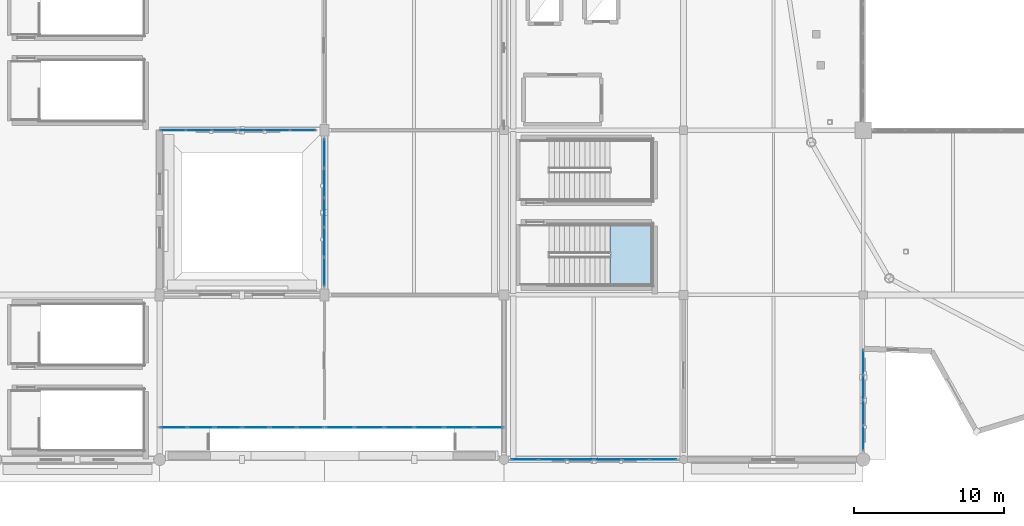
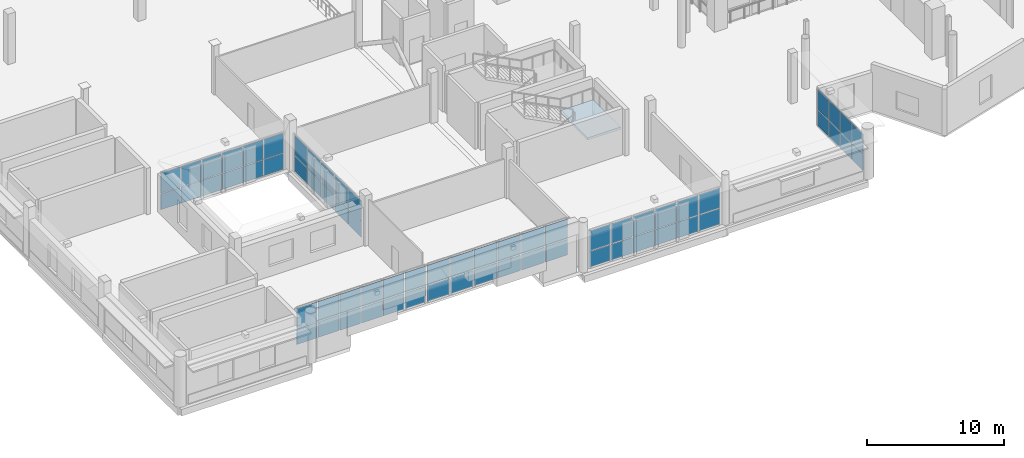
# One storey, part 65 of 118: 66 plates, 1 slab, 7 elements without a shape of their own.
"""IFC4 building model written with IfcOpenShell, lengths in metres."""

import ifcopenshell
import ifcopenshell.guid

model = None  # the IFC model being written
_history = None  # IfcOwnerHistory: only IFC2X3 demands one
_inside = {}  # id of a spatial element -> (the spatial element, [elements in it])
_under = {}  # id of a project, library or spatial element -> (it, [spatial elements below it])
_declared = {}  # id of a project -> (the project, [libraries it declares])
_typed = {}  # id of a type object -> (the type object, [elements of that type])
_made_of = {}  # id of a material, layer set ... -> (it, [elements and type objects made of it])


def new_model(schema):
    """Start an empty IFC model of exactly this schema.

    Asked for "IFC4X3", IfcOpenShell would pick the latest addendum, in which some entities
    have other attributes; the version numbers below select the first issue.
    IFC2X3 requires an IfcOwnerHistory on every rooted entity: one is made here for all.
    """
    global model, _history
    if schema == "IFC4X3":
        model = ifcopenshell.file(schema_version=(4, 3, 0, 0))
    else:
        model = ifcopenshell.file(schema=schema)
    _inside.clear()
    _under.clear()
    _declared.clear()
    _typed.clear()
    _made_of.clear()
    _history = None
    if model.schema == "IFC2X3":
        org = make("IfcOrganization", Name="unknown")
        user = make(
            "IfcPersonAndOrganization",
            ThePerson=make("IfcPerson", FamilyName="unknown"),
            TheOrganization=org,
        )
        app = make(
            "IfcApplication",
            ApplicationDeveloper=org,
            Version="unknown",
            ApplicationFullName="unknown",
            ApplicationIdentifier="unknown",
        )
        _history = make(
            "IfcOwnerHistory",
            OwningUser=user,
            OwningApplication=app,
            ChangeAction="ADDED",
            CreationDate=0,
        )
    return model


def make(cls, **values):
    """One entity of the class cls with the attributes given. An attribute that is None is left unset."""
    return model.create_entity(
        cls, **{name: value for name, value in values.items() if value is not None}
    )


def rooted(cls, **values):
    """An entity with a GlobalId (a new one), such as an element, a storey or a relation."""
    return make(cls, GlobalId=ifcopenshell.guid.new(), OwnerHistory=_history, **values)


def si_unit(unit_type, name, prefix=None):
    """IfcSIUnit, for example si_unit("LENGTHUNIT", "METRE", prefix="MILLI")."""
    return make("IfcSIUnit", UnitType=unit_type, Prefix=prefix, Name=name)


def assignment(units):
    """IfcUnitAssignment: the units of a project."""
    return None if units is None else make("IfcUnitAssignment", Units=units)


def point(xyz):
    """IfcCartesianPoint."""
    return None if xyz is None else make("IfcCartesianPoint", Coordinates=xyz)


def direction(xyz):
    """IfcDirection."""
    return None if xyz is None else make("IfcDirection", DirectionRatios=xyz)


def frame(location, z_axis=None, x_axis=None):
    """IfcAxis2Placement3D, a coordinate frame: its origin and axes. An axis left out is left unset."""
    return make(
        "IfcAxis2Placement3D",
        Location=point(location),
        Axis=direction(z_axis),
        RefDirection=direction(x_axis),
    )


def frame_2d(location, x_axis=None):
    """IfcAxis2Placement2D, a coordinate frame in the plane: its origin and x axis."""
    return make(
        "IfcAxis2Placement2D", Location=point(location), RefDirection=direction(x_axis)
    )


def origin():
    """The frame at (0, 0, 0) with its axes left unset."""
    return frame((0.0, 0.0, 0.0))


def origin_2d():
    """The frame at (0, 0) in the plane with its x axis left unset."""
    return frame_2d((0.0, 0.0))


def place(relative_to, where):
    """IfcLocalPlacement: puts the frame where relative to a parent placement (None: the world)."""
    return make(
        "IfcLocalPlacement", PlacementRelTo=relative_to, RelativePlacement=where
    )


def context(
    kind, dimensions, precision=None, world=None, true_north=None, identifier=None
):
    """IfcGeometricRepresentationContext, for example the 3D "Model" context."""
    return make(
        "IfcGeometricRepresentationContext",
        ContextIdentifier=identifier,
        ContextType=kind,
        CoordinateSpaceDimension=dimensions,
        Precision=precision,
        WorldCoordinateSystem=world,
        TrueNorth=true_north,
    )


def subcontext(parent, identifier, kind, view, scale=None):
    """IfcGeometricRepresentationSubContext, for example "Body" below "Model"."""
    return make(
        "IfcGeometricRepresentationSubContext",
        ContextIdentifier=identifier,
        ContextType=kind,
        ParentContext=parent,
        TargetScale=scale,
        TargetView=view,
    )


def project(units=None, contexts=None):
    """IfcProject with its units and contexts."""
    return rooted(
        "IfcProject",
        Name="project",
        RepresentationContexts=contexts,
        UnitsInContext=assignment(units),
    )


def spatial(cls, under=None, at=None, **own):
    """A site, building, storey or space (cls), placed at a placement, below another one or the project."""
    s = rooted(cls, ObjectPlacement=at, **own)
    if under is not None:
        _under.setdefault(under.id(), (under, []))[1].append(s)
    return s


def polyline(points):
    """IfcPolyline through the points."""
    return make("IfcPolyline", Points=[point(p) for p in points])


def profile(cls, at=None, kind="AREA", **sizes):
    """A parametric profile (cls). Its sizes go by their IFC names, for example OverallWidth=200.0."""
    return make(cls, ProfileType=kind, Position=at, **sizes)


def rectangle(**sizes):
    """IfcRectangleProfileDef."""
    return profile("IfcRectangleProfileDef", **sizes)


def outline(outer, holes=None, kind="AREA"):
    """IfcArbitraryClosedProfileDef: a profile drawn as a closed curve; with holes, ...WithVoids."""
    if holes is None:
        return make("IfcArbitraryClosedProfileDef", ProfileType=kind, OuterCurve=outer)
    return make(
        "IfcArbitraryProfileDefWithVoids",
        ProfileType=kind,
        OuterCurve=outer,
        InnerCurves=holes,
    )


def extrude(swept, where, along, depth):
    """IfcExtrudedAreaSolid: the profile swept, set in the frame where, extruded along a direction by depth."""
    return make(
        "IfcExtrudedAreaSolid",
        SweptArea=swept,
        Position=where,
        ExtrudedDirection=direction(along),
        Depth=depth,
    )


def shape(context_of_items, identifier, shape_type, items):
    """IfcShapeRepresentation: the items that make up one representation, for example the "Body"."""
    return make(
        "IfcShapeRepresentation",
        ContextOfItems=context_of_items,
        RepresentationIdentifier=identifier,
        RepresentationType=shape_type,
        Items=items,
    )


def material(Name=None, Category=None):
    """IfcMaterial."""
    return make("IfcMaterial", Name=Name, Category=Category)


def layer(
    of_material, thickness, ventilated=None, Name=None, Category=None, Priority=None
):
    """IfcMaterialLayer: one layer of a wall or slab, of a material (None: an air gap)."""
    return make(
        "IfcMaterialLayer",
        Material=of_material,
        LayerThickness=thickness,
        IsVentilated=ventilated,
        Name=Name,
        Category=Category,
        Priority=Priority,
    )


def layer_set(layers, Name=None):
    """IfcMaterialLayerSet."""
    return make("IfcMaterialLayerSet", MaterialLayers=layers, LayerSetName=Name)


def made_of(thing, what):
    """Note that an element or type object is made of a material, layer set ...; save() writes the relation."""
    if what is not None:
        _made_of.setdefault(what.id(), (what, []))[1].append(thing)
    return thing


def type_object(cls, material=None, **own):
    """A type object (cls), such as IfcWallType, which elements share."""
    return made_of(rooted(cls, **own), material)


def element(
    cls,
    number,
    at=None,
    inside=None,
    cuts=None,
    type_object=None,
    material=None,
    context=None,
    identifier="Body",
    shape_type=None,
    held_by="IfcProductDefinitionShape",
    body=None,
    shapes=None,
    **own,
):
    """One element of the class cls, such as IfcWall. Its Tag is "e" and its number.

    at: its placement. inside: the storey or other place that contains it. cuts: it is an
    opening in that element (IfcRelVoidsElement). A single representation is given by context,
    identifier, shape_type and body (its items); several are given by shapes. held_by: the class
    of the entity that holds the representations. save() writes the other relations.
    """
    e = rooted(cls, Tag="e%d" % number, ObjectPlacement=at, **own)
    if body is not None:
        shapes = [shape(context, identifier, shape_type, body)]
    if shapes is not None:
        e.Representation = make(held_by, Representations=shapes)
    if inside is not None:
        _inside.setdefault(inside.id(), (inside, []))[1].append(e)
    if cuts is not None:
        rooted(
            "IfcRelVoidsElement", RelatingBuildingElement=cuts, RelatedOpeningElement=e
        )
    if type_object is not None:
        _typed.setdefault(type_object.id(), (type_object, []))[1].append(e)
    return made_of(e, material)


def aggregate(whole, parts):
    """IfcRelAggregates: a whole, such as a stair, and the parts it consists of."""
    return rooted("IfcRelAggregates", RelatingObject=whole, RelatedObjects=parts)


def save(model, path):
    """Write the relations noted so far, then the file.

    IfcRelAggregates (storeys below a building ...), IfcRelContainedInSpatialStructure (elements
    in a storey), IfcRelDefinesByType, IfcRelAssociatesMaterial and IfcRelDeclares: one each for
    every whole, place, type object, material and project.
    """
    for whole, parts in _under.values():
        aggregate(whole, parts)
    for where, things in _inside.values():
        rooted(
            "IfcRelContainedInSpatialStructure",
            RelatedElements=things,
            RelatingStructure=where,
        )
    for kind, things in _typed.values():
        rooted("IfcRelDefinesByType", RelatedObjects=things, RelatingType=kind)
    for what, things in _made_of.values():
        rooted("IfcRelAssociatesMaterial", RelatedObjects=things, RelatingMaterial=what)
    for by, libraries in _declared.values():
        rooted("IfcRelDeclares", RelatingContext=by, RelatedDefinitions=libraries)
    model.write(path)


model = new_model("IFC4")

# Units and contexts
model_context = context("Model", 3, precision=1e-05, world=origin(), true_north=direction((0.0, 1.0)))
body_context = subcontext(model_context, "Body", "Model", "MODEL_VIEW")
ifc_project = project(units=[si_unit("LENGTHUNIT", "METRE"), si_unit("AREAUNIT", "SQUARE_METRE"), si_unit("VOLUMEUNIT", "CUBIC_METRE"), si_unit("PLANEANGLEUNIT", "RADIAN"), si_unit("MASSUNIT", "GRAM", prefix="KILO")], contexts=[model_context])

# Site, building, storey
site_placement = place(None, origin())
site = spatial("IfcSite", under=ifc_project, at=site_placement, CompositionType="ELEMENT")
building_placement = place(site_placement, origin())
building = spatial("IfcBuilding", under=site, at=building_placement, Name="Luwafu Chhajja Arena", CompositionType="ELEMENT")
storey_placement = place(building_placement, frame((0.0, 0.0, 10.199951171875)))
storey = spatial("IfcBuildingStorey", under=building, at=storey_placement, Name="L02", CompositionType="ELEMENT", Elevation=10.199951171875)

# Curtain wall, plates
ifc_material_1 = material(Name="Anodised bronze aluminium", Category="aluminium")
curtain_wall_type_1 = type_object("IfcCurtainWallType", Name="Media Ribbon Curtain Wall", PredefinedType="USERDEFINED", material=ifc_material_1)
curtain_wall_1_placement = place(storey_placement, origin())
curtain_wall_1 = element("IfcCurtainWall", 1, at=curtain_wall_1_placement, inside=storey, type_object=curtain_wall_type_1, Name="L02 Curtain Wall CWG-L02-H03_00", ObjectType="CURTAIN WALL", PredefinedType="USERDEFINED")
ifc_material_2 = material(Name="Solar-control laminated glass", Category="glass")
ifc_layer_1 = layer(ifc_material_2, 0.035888671875, Name="Solar-control laminated glass")
ifc_layer_set_1 = layer_set([ifc_layer_1], Name="Solar-control laminated glass")
plate_type_1 = type_object("IfcPlateType", Name="Acoustic Broadcast Double Glazed CW Panel 36", PredefinedType="CURTAIN_PANEL", material=ifc_layer_set_1)
plate_1_placement = place(storey_placement, frame((35.4091796875, 0.0, 0.10009765625), z_axis=(0.0, 0.0, 1.0), x_axis=(1.0, 0.0, 0.0)))
plate_1 = element("IfcPlate", 2, at=plate_1_placement, type_object=plate_type_1, Name="CW-03 panel 1.1", PredefinedType="CURTAIN_PANEL", context=body_context, shape_type="SweptSolid", body=[
    extrude(rectangle(XDim=1.748291015625, YDim=0.035888671875, at=origin_2d()), origin(), (0.0, 0.0, 1.0), 1.397216796875),
])
plate_2_placement = place(storey_placement, frame((35.4091796875, 0.0, 1.5673828125), z_axis=(0.0, 0.0, 1.0), x_axis=(1.0, 0.0, 0.0)))
plate_2 = element("IfcPlate", 3, at=plate_2_placement, type_object=plate_type_1, Name="CW-03 panel 1.2", PredefinedType="CURTAIN_PANEL", context=body_context, shape_type="SweptSolid", body=[
    extrude(rectangle(XDim=1.748291015625, YDim=0.035888671875, at=origin_2d()), origin(), (0.0, 0.0, 1.0), 1.767578125),
])
plate_3_placement = place(storey_placement, frame((37.2451171875, 0.0, 0.10009765625), z_axis=(0.0, 0.0, 1.0), x_axis=(1.0, 0.0, 0.0)))
plate_3 = element("IfcPlate", 4, at=plate_3_placement, type_object=plate_type_1, Name="CW-03 panel 2.1", PredefinedType="CURTAIN_PANEL", context=body_context, shape_type="SweptSolid", body=[
    extrude(rectangle(XDim=1.783447265625, YDim=0.035888671875, at=origin_2d()), origin(), (0.0, 0.0, 1.0), 1.397216796875),
])
plate_4_placement = place(storey_placement, frame((37.2451171875, 0.0, 1.5673828125), z_axis=(0.0, 0.0, 1.0), x_axis=(1.0, 0.0, 0.0)))
plate_4 = element("IfcPlate", 5, at=plate_4_placement, type_object=plate_type_1, Name="CW-03 panel 2.2", PredefinedType="CURTAIN_PANEL", context=body_context, shape_type="SweptSolid", body=[
    extrude(rectangle(XDim=1.783447265625, YDim=0.035888671875, at=origin_2d()), origin(), (0.0, 0.0, 1.0), 1.767578125),
])
plate_5_placement = place(storey_placement, frame((39.098388671875, 0.0, 0.10009765625), z_axis=(0.0, 0.0, 1.0), x_axis=(1.0, 0.0, 0.0)))
plate_5 = element("IfcPlate", 6, at=plate_5_placement, type_object=plate_type_1, Name="CW-03 panel 3.1", PredefinedType="CURTAIN_PANEL", context=body_context, shape_type="SweptSolid", body=[
    extrude(rectangle(XDim=1.783447265625, YDim=0.035888671875, at=origin_2d()), origin(), (0.0, 0.0, 1.0), 1.397216796875),
])
plate_6_placement = place(storey_placement, frame((39.098388671875, 0.0, 1.5673828125), z_axis=(0.0, 0.0, 1.0), x_axis=(1.0, 0.0, 0.0)))
plate_6 = element("IfcPlate", 7, at=plate_6_placement, type_object=plate_type_1, Name="CW-03 panel 3.2", PredefinedType="CURTAIN_PANEL", context=body_context, shape_type="SweptSolid", body=[
    extrude(rectangle(XDim=1.783447265625, YDim=0.035888671875, at=origin_2d()), origin(), (0.0, 0.0, 1.0), 1.767578125),
])
plate_7_placement = place(storey_placement, frame((40.95166015625, 0.0, 0.10009765625), z_axis=(0.0, 0.0, 1.0), x_axis=(1.0, 0.0, 0.0)))
plate_7 = element("IfcPlate", 8, at=plate_7_placement, type_object=plate_type_1, Name="CW-03 panel 4.1", PredefinedType="CURTAIN_PANEL", context=body_context, shape_type="SweptSolid", body=[
    extrude(rectangle(XDim=1.783447265625, YDim=0.035888671875, at=origin_2d()), origin(), (0.0, 0.0, 1.0), 1.397216796875),
])
plate_8_placement = place(storey_placement, frame((40.95166015625, 0.0, 1.5673828125), z_axis=(0.0, 0.0, 1.0), x_axis=(1.0, 0.0, 0.0)))
plate_8 = element("IfcPlate", 9, at=plate_8_placement, type_object=plate_type_1, Name="CW-03 panel 4.2", PredefinedType="CURTAIN_PANEL", context=body_context, shape_type="SweptSolid", body=[
    extrude(rectangle(XDim=1.783447265625, YDim=0.035888671875, at=origin_2d()), origin(), (0.0, 0.0, 1.0), 1.767578125),
])
plate_9_placement = place(storey_placement, frame((42.804931640625, 0.0, 0.10009765625), z_axis=(0.0, 0.0, 1.0), x_axis=(1.0, 0.0, 0.0)))
plate_9 = element("IfcPlate", 10, at=plate_9_placement, type_object=plate_type_1, Name="CW-03 panel 5.1", PredefinedType="CURTAIN_PANEL", context=body_context, shape_type="SweptSolid", body=[
    extrude(rectangle(XDim=1.783447265625, YDim=0.035888671875, at=origin_2d()), origin(), (0.0, 0.0, 1.0), 1.397216796875),
])
plate_10_placement = place(storey_placement, frame((42.804931640625, 0.0, 1.5673828125), z_axis=(0.0, 0.0, 1.0), x_axis=(1.0, 0.0, 0.0)))
plate_10 = element("IfcPlate", 11, at=plate_10_placement, type_object=plate_type_1, Name="CW-03 panel 5.2", PredefinedType="CURTAIN_PANEL", context=body_context, shape_type="SweptSolid", body=[
    extrude(rectangle(XDim=1.783447265625, YDim=0.035888671875, at=origin_2d()), origin(), (0.0, 0.0, 1.0), 1.767578125),
])
plate_11_placement = place(storey_placement, frame((44.640869140625, 0.0, 0.10009765625), z_axis=(0.0, 0.0, 1.0), x_axis=(1.0, 0.0, 0.0)))
plate_11 = element("IfcPlate", 12, at=plate_11_placement, type_object=plate_type_1, Name="CW-03 panel 6.1", PredefinedType="CURTAIN_PANEL", context=body_context, shape_type="SweptSolid", body=[
    extrude(rectangle(XDim=1.748291015625, YDim=0.035888671875, at=origin_2d()), origin(), (0.0, 0.0, 1.0), 1.397216796875),
])
plate_12_placement = place(storey_placement, frame((44.640869140625, 0.0, 1.5673828125), z_axis=(0.0, 0.0, 1.0), x_axis=(1.0, 0.0, 0.0)))
plate_12 = element("IfcPlate", 13, at=plate_12_placement, type_object=plate_type_1, Name="CW-03 panel 6.2", PredefinedType="CURTAIN_PANEL", context=body_context, shape_type="SweptSolid", body=[
    extrude(rectangle(XDim=1.748291015625, YDim=0.035888671875, at=origin_2d()), origin(), (0.0, 0.0, 1.0), 1.767578125),
])
aggregate(curtain_wall_1, [plate_1, plate_2, plate_3, plate_4, plate_5, plate_6, plate_7, plate_8, plate_9, plate_10, plate_11, plate_12])

# Stair, slab
ifc_material_3 = material(Name="Concrete C35/45", Category="concrete")
stair_type = type_object("IfcStairType", Name="Quadrant Protected Dog-Leg Stair 1920", PredefinedType="HALF_TURN_STAIR", material=ifc_material_3)
stair_placement = place(storey_placement, origin())
stair = element("IfcStair", 14, at=stair_placement, inside=storey, type_object=stair_type, Name="L02 Protected Escape Stair ST-01", PredefinedType="HALF_TURN_STAIR")
ifc_layer_2 = layer(ifc_material_3, 0.199951171875, Name="Concrete C35/45")
ifc_layer_set_2 = layer_set([ifc_layer_2], Name="Concrete C35/45")
slab_type = type_object("IfcSlabType", Name="Escape Stair Landing Slab 200", PredefinedType="LANDING", material=ifc_layer_set_2)
slab_placement = place(storey_placement, frame((0.0, 0.0, 2.050048828125)))
slab = element("IfcSlab", 15, at=slab_placement, type_object=slab_type, Name="ST-01 landing 1", PredefinedType="LANDING", context=body_context, shape_type="SweptSolid", body=[
    extrude(outline(polyline([(41.10009765625, 11.64990234375), (43.89990234375, 11.64990234375), (43.89990234375, 15.68994140625), (41.10009765625, 15.68994140625), (41.10009765625, 11.64990234375)])), origin(), (0.0, 0.0, 1.0), 0.199951171875),
])
aggregate(stair, [slab])

# Curtain wall, plates
curtain_wall_type_2 = type_object("IfcCurtainWallType", Name="Pishtaq Monumental Portal Curtain Wall", PredefinedType="USERDEFINED", material=ifc_material_1)
curtain_wall_2_placement = place(storey_placement, origin())
curtain_wall_2 = element("IfcCurtainWall", 16, at=curtain_wall_2_placement, inside=storey, type_object=curtain_wall_type_2, Name="L02 Curtain Wall CWG-L02-H01_00", ObjectType="CURTAIN WALL", PredefinedType="USERDEFINED")
ifc_layer_3 = layer(ifc_material_2, 0.0419921875, Name="Solar-control laminated glass")
ifc_layer_set_3 = layer_set([ifc_layer_3], Name="Solar-control laminated glass")
plate_type_2 = type_object("IfcPlateType", Name="Pishtaq Tall Laminated Glazed Panel 42", PredefinedType="CURTAIN_PANEL", material=ifc_layer_set_3)
plate_13_placement = place(storey_placement, frame((11.936767578125, 2.14990234375, 0.110107421875), z_axis=(0.0, 0.0, 1.0), x_axis=(1.0, 0.0, 0.0)))
plate_13 = element("IfcPlate", 17, at=plate_13_placement, type_object=plate_type_2, Name="CW-04 panel 1.1", PredefinedType="CURTAIN_PANEL", context=body_context, shape_type="SweptSolid", body=[
    extrude(rectangle(XDim=1.71337890625, YDim=0.0419921875, at=origin_2d()), origin(), (0.0, 0.0, 1.0), 1.38232421875),
])
plate_14_placement = place(storey_placement, frame((11.936767578125, 2.14990234375, 1.572265625), z_axis=(0.0, 0.0, 1.0), x_axis=(1.0, 0.0, 0.0)))
plate_14 = element("IfcPlate", 18, at=plate_14_placement, type_object=plate_type_2, Name="CW-04 panel 1.2", PredefinedType="CURTAIN_PANEL", context=body_context, shape_type="SweptSolid", body=[
    extrude(rectangle(XDim=1.71337890625, YDim=0.0419921875, at=origin_2d()), origin(), (0.0, 0.0, 1.0), 1.752685546875),
])
plate_15_placement = place(storey_placement, frame((13.75, 2.14990234375, 0.110107421875), z_axis=(0.0, 0.0, 1.0), x_axis=(1.0, 0.0, 0.0)))
plate_15 = element("IfcPlate", 19, at=plate_15_placement, type_object=plate_type_2, Name="CW-04 panel 2.1", PredefinedType="CURTAIN_PANEL", context=body_context, shape_type="SweptSolid", body=[
    extrude(rectangle(XDim=1.75341796875, YDim=0.0419921875, at=origin_2d()), origin(), (0.0, 0.0, 1.0), 1.38232421875),
])
plate_16_placement = place(storey_placement, frame((13.75, 2.14990234375, 1.572265625), z_axis=(0.0, 0.0, 1.0), x_axis=(1.0, 0.0, 0.0)))
plate_16 = element("IfcPlate", 20, at=plate_16_placement, type_object=plate_type_2, Name="CW-04 panel 2.2", PredefinedType="CURTAIN_PANEL", context=body_context, shape_type="SweptSolid", body=[
    extrude(rectangle(XDim=1.75341796875, YDim=0.0419921875, at=origin_2d()), origin(), (0.0, 0.0, 1.0), 1.752685546875),
])
plate_17_placement = place(storey_placement, frame((15.583251953125, 2.14990234375, 0.110107421875), z_axis=(0.0, 0.0, 1.0), x_axis=(1.0, 0.0, 0.0)))
plate_17 = element("IfcPlate", 21, at=plate_17_placement, type_object=plate_type_2, Name="CW-04 panel 3.1", PredefinedType="CURTAIN_PANEL", context=body_context, shape_type="SweptSolid", body=[
    extrude(rectangle(XDim=1.75341796875, YDim=0.0419921875, at=origin_2d()), origin(), (0.0, 0.0, 1.0), 1.38232421875),
])
plate_18_placement = place(storey_placement, frame((15.583251953125, 2.14990234375, 1.572265625), z_axis=(0.0, 0.0, 1.0), x_axis=(1.0, 0.0, 0.0)))
plate_18 = element("IfcPlate", 22, at=plate_18_placement, type_object=plate_type_2, Name="CW-04 panel 3.2", PredefinedType="CURTAIN_PANEL", context=body_context, shape_type="SweptSolid", body=[
    extrude(rectangle(XDim=1.75341796875, YDim=0.0419921875, at=origin_2d()), origin(), (0.0, 0.0, 1.0), 1.752685546875),
])
plate_19_placement = place(storey_placement, frame((17.416748046875, 2.14990234375, 0.110107421875), z_axis=(0.0, 0.0, 1.0), x_axis=(1.0, 0.0, 0.0)))
plate_19 = element("IfcPlate", 23, at=plate_19_placement, type_object=plate_type_2, Name="CW-04 panel 4.1", PredefinedType="CURTAIN_PANEL", context=body_context, shape_type="SweptSolid", body=[
    extrude(rectangle(XDim=1.75341796875, YDim=0.0419921875, at=origin_2d()), origin(), (0.0, 0.0, 1.0), 1.38232421875),
])
plate_20_placement = place(storey_placement, frame((17.416748046875, 2.14990234375, 1.572265625), z_axis=(0.0, 0.0, 1.0), x_axis=(1.0, 0.0, 0.0)))
plate_20 = element("IfcPlate", 24, at=plate_20_placement, type_object=plate_type_2, Name="CW-04 panel 4.2", PredefinedType="CURTAIN_PANEL", context=body_context, shape_type="SweptSolid", body=[
    extrude(rectangle(XDim=1.75341796875, YDim=0.0419921875, at=origin_2d()), origin(), (0.0, 0.0, 1.0), 1.752685546875),
])
plate_21_placement = place(storey_placement, frame((19.25, 2.14990234375, 0.110107421875), z_axis=(0.0, 0.0, 1.0), x_axis=(1.0, 0.0, 0.0)))
plate_21 = element("IfcPlate", 25, at=plate_21_placement, type_object=plate_type_2, Name="CW-04 panel 5.1", PredefinedType="CURTAIN_PANEL", context=body_context, shape_type="SweptSolid", body=[
    extrude(rectangle(XDim=1.75341796875, YDim=0.0419921875, at=origin_2d()), origin(), (0.0, 0.0, 1.0), 1.38232421875),
])
plate_22_placement = place(storey_placement, frame((19.25, 2.14990234375, 1.572265625), z_axis=(0.0, 0.0, 1.0), x_axis=(1.0, 0.0, 0.0)))
plate_22 = element("IfcPlate", 26, at=plate_22_placement, type_object=plate_type_2, Name="CW-04 panel 5.2", PredefinedType="CURTAIN_PANEL", context=body_context, shape_type="SweptSolid", body=[
    extrude(rectangle(XDim=1.75341796875, YDim=0.0419921875, at=origin_2d()), origin(), (0.0, 0.0, 1.0), 1.752685546875),
])
plate_23_placement = place(storey_placement, frame((21.063232421875, 2.14990234375, 0.110107421875), z_axis=(0.0, 0.0, 1.0), x_axis=(1.0, 0.0, 0.0)))
plate_23 = element("IfcPlate", 27, at=plate_23_placement, type_object=plate_type_2, Name="CW-04 panel 6.1", PredefinedType="CURTAIN_PANEL", context=body_context, shape_type="SweptSolid", body=[
    extrude(rectangle(XDim=1.71337890625, YDim=0.0419921875, at=origin_2d()), origin(), (0.0, 0.0, 1.0), 1.38232421875),
])
plate_24_placement = place(storey_placement, frame((21.063232421875, 2.14990234375, 1.572265625), z_axis=(0.0, 0.0, 1.0), x_axis=(1.0, 0.0, 0.0)))
plate_24 = element("IfcPlate", 28, at=plate_24_placement, type_object=plate_type_2, Name="CW-04 panel 6.2", PredefinedType="CURTAIN_PANEL", context=body_context, shape_type="SweptSolid", body=[
    extrude(rectangle(XDim=1.71337890625, YDim=0.0419921875, at=origin_2d()), origin(), (0.0, 0.0, 1.0), 1.752685546875),
])
aggregate(curtain_wall_2, [plate_13, plate_14, plate_15, plate_16, plate_17, plate_18, plate_19, plate_20, plate_21, plate_22, plate_23, plate_24])

curtain_wall_3_placement = place(storey_placement, origin())
curtain_wall_3 = element("IfcCurtainWall", 29, at=curtain_wall_3_placement, inside=storey, type_object=curtain_wall_type_2, Name="L02 Curtain Wall CWG-L02-H02_00", ObjectType="CURTAIN WALL", PredefinedType="USERDEFINED")
plate_25_placement = place(storey_placement, frame((23.02001953125, 2.14990234375, 0.110107421875), z_axis=(0.0, 0.0, 1.0), x_axis=(1.0, 0.0, 0.0)))
plate_25 = element("IfcPlate", 30, at=plate_25_placement, type_object=plate_type_2, Name="CW-04 panel 1.1", PredefinedType="CURTAIN_PANEL", context=body_context, shape_type="SweptSolid", body=[
    extrude(rectangle(XDim=1.8798828125, YDim=0.0419921875, at=origin_2d()), origin(), (0.0, 0.0, 1.0), 1.38232421875),
])
plate_26_placement = place(storey_placement, frame((23.02001953125, 2.14990234375, 1.572265625), z_axis=(0.0, 0.0, 1.0), x_axis=(1.0, 0.0, 0.0)))
plate_26 = element("IfcPlate", 31, at=plate_26_placement, type_object=plate_type_2, Name="CW-04 panel 1.2", PredefinedType="CURTAIN_PANEL", context=body_context, shape_type="SweptSolid", body=[
    extrude(rectangle(XDim=1.8798828125, YDim=0.0419921875, at=origin_2d()), origin(), (0.0, 0.0, 1.0), 1.752685546875),
])
plate_27_placement = place(storey_placement, frame((25.0, 2.14990234375, 0.110107421875), z_axis=(0.0, 0.0, 1.0), x_axis=(1.0, 0.0, 0.0)))
plate_27 = element("IfcPlate", 32, at=plate_27_placement, type_object=plate_type_2, Name="CW-04 panel 2.1", PredefinedType="CURTAIN_PANEL", context=body_context, shape_type="SweptSolid", body=[
    extrude(rectangle(XDim=1.919921875, YDim=0.0419921875, at=origin_2d()), origin(), (0.0, 0.0, 1.0), 1.38232421875),
])
plate_28_placement = place(storey_placement, frame((25.0, 2.14990234375, 1.572265625), z_axis=(0.0, 0.0, 1.0), x_axis=(1.0, 0.0, 0.0)))
plate_28 = element("IfcPlate", 33, at=plate_28_placement, type_object=plate_type_2, Name="CW-04 panel 2.2", PredefinedType="CURTAIN_PANEL", context=body_context, shape_type="SweptSolid", body=[
    extrude(rectangle(XDim=1.919921875, YDim=0.0419921875, at=origin_2d()), origin(), (0.0, 0.0, 1.0), 1.752685546875),
])
plate_29_placement = place(storey_placement, frame((27.0, 2.14990234375, 0.110107421875), z_axis=(0.0, 0.0, 1.0), x_axis=(1.0, 0.0, 0.0)))
plate_29 = element("IfcPlate", 34, at=plate_29_placement, type_object=plate_type_2, Name="CW-04 panel 3.1", PredefinedType="CURTAIN_PANEL", context=body_context, shape_type="SweptSolid", body=[
    extrude(rectangle(XDim=1.919921875, YDim=0.0419921875, at=origin_2d()), origin(), (0.0, 0.0, 1.0), 1.38232421875),
])
plate_30_placement = place(storey_placement, frame((27.0, 2.14990234375, 1.572265625), z_axis=(0.0, 0.0, 1.0), x_axis=(1.0, 0.0, 0.0)))
plate_30 = element("IfcPlate", 35, at=plate_30_placement, type_object=plate_type_2, Name="CW-04 panel 3.2", PredefinedType="CURTAIN_PANEL", context=body_context, shape_type="SweptSolid", body=[
    extrude(rectangle(XDim=1.919921875, YDim=0.0419921875, at=origin_2d()), origin(), (0.0, 0.0, 1.0), 1.752685546875),
])
plate_31_placement = place(storey_placement, frame((29.0, 2.14990234375, 0.110107421875), z_axis=(0.0, 0.0, 1.0), x_axis=(1.0, 0.0, 0.0)))
plate_31 = element("IfcPlate", 36, at=plate_31_placement, type_object=plate_type_2, Name="CW-04 panel 4.1", PredefinedType="CURTAIN_PANEL", context=body_context, shape_type="SweptSolid", body=[
    extrude(rectangle(XDim=1.919921875, YDim=0.0419921875, at=origin_2d()), origin(), (0.0, 0.0, 1.0), 1.38232421875),
])
plate_32_placement = place(storey_placement, frame((29.0, 2.14990234375, 1.572265625), z_axis=(0.0, 0.0, 1.0), x_axis=(1.0, 0.0, 0.0)))
plate_32 = element("IfcPlate", 37, at=plate_32_placement, type_object=plate_type_2, Name="CW-04 panel 4.2", PredefinedType="CURTAIN_PANEL", context=body_context, shape_type="SweptSolid", body=[
    extrude(rectangle(XDim=1.919921875, YDim=0.0419921875, at=origin_2d()), origin(), (0.0, 0.0, 1.0), 1.752685546875),
])
plate_33_placement = place(storey_placement, frame((31.0, 2.14990234375, 0.110107421875), z_axis=(0.0, 0.0, 1.0), x_axis=(1.0, 0.0, 0.0)))
plate_33 = element("IfcPlate", 38, at=plate_33_placement, type_object=plate_type_2, Name="CW-04 panel 5.1", PredefinedType="CURTAIN_PANEL", context=body_context, shape_type="SweptSolid", body=[
    extrude(rectangle(XDim=1.919921875, YDim=0.0419921875, at=origin_2d()), origin(), (0.0, 0.0, 1.0), 1.38232421875),
])
plate_34_placement = place(storey_placement, frame((31.0, 2.14990234375, 1.572265625), z_axis=(0.0, 0.0, 1.0), x_axis=(1.0, 0.0, 0.0)))
plate_34 = element("IfcPlate", 39, at=plate_34_placement, type_object=plate_type_2, Name="CW-04 panel 5.2", PredefinedType="CURTAIN_PANEL", context=body_context, shape_type="SweptSolid", body=[
    extrude(rectangle(XDim=1.919921875, YDim=0.0419921875, at=origin_2d()), origin(), (0.0, 0.0, 1.0), 1.752685546875),
])
plate_35_placement = place(storey_placement, frame((32.97998046875, 2.14990234375, 0.110107421875), z_axis=(0.0, 0.0, 1.0), x_axis=(1.0, 0.0, 0.0)))
plate_35 = element("IfcPlate", 40, at=plate_35_placement, type_object=plate_type_2, Name="CW-04 panel 6.1", PredefinedType="CURTAIN_PANEL", context=body_context, shape_type="SweptSolid", body=[
    extrude(rectangle(XDim=1.8798828125, YDim=0.0419921875, at=origin_2d()), origin(), (0.0, 0.0, 1.0), 1.38232421875),
])
plate_36_placement = place(storey_placement, frame((32.97998046875, 2.14990234375, 1.572265625), z_axis=(0.0, 0.0, 1.0), x_axis=(1.0, 0.0, 0.0)))
plate_36 = element("IfcPlate", 41, at=plate_36_placement, type_object=plate_type_2, Name="CW-04 panel 6.2", PredefinedType="CURTAIN_PANEL", context=body_context, shape_type="SweptSolid", body=[
    extrude(rectangle(XDim=1.8798828125, YDim=0.0419921875, at=origin_2d()), origin(), (0.0, 0.0, 1.0), 1.752685546875),
])
aggregate(curtain_wall_3, [plate_25, plate_26, plate_27, plate_28, plate_29, plate_30, plate_31, plate_32, plate_33, plate_34, plate_35, plate_36])

curtain_wall_type_3 = type_object("IfcCurtainWallType", Name="Bowl Concourse Chord Curtain Wall", PredefinedType="USERDEFINED", material=ifc_material_1)
curtain_wall_4_placement = place(storey_placement, origin())
curtain_wall_4 = element("IfcCurtainWall", 42, at=curtain_wall_4_placement, inside=storey, type_object=curtain_wall_type_3, Name="L02 Curtain Wall CWG-L02-H01_02", ObjectType="CURTAIN WALL", PredefinedType="USERDEFINED")
ifc_layer_4 = layer(ifc_material_2, 0.028076171875, Name="Solar-control laminated glass")
ifc_layer_set_4 = layer_set([ifc_layer_4], Name="Solar-control laminated glass")
plate_type_3 = type_object("IfcPlateType", Name="Solar Control Double Glazed CW Panel 28", PredefinedType="CURTAIN_PANEL", material=ifc_layer_set_4)
plate_37_placement = place(storey_placement, frame((11.88671875, 22.0, 0.08984375), z_axis=(0.0, 0.0, 1.0), x_axis=(1.0, 0.0, 0.0)))
plate_37 = element("IfcPlate", 43, at=plate_37_placement, type_object=plate_type_3, Name="CW-01 panel 1.1", PredefinedType="CURTAIN_PANEL", context=body_context, shape_type="SweptSolid", body=[
    extrude(rectangle(XDim=1.6533203125, YDim=0.028076171875, at=origin_2d()), origin(), (0.0, 0.0, 1.0), 1.412353515625),
])
plate_38_placement = place(storey_placement, frame((11.88671875, 22.0, 1.562255859375), z_axis=(0.0, 0.0, 1.0), x_axis=(1.0, 0.0, 0.0)))
plate_38 = element("IfcPlate", 44, at=plate_38_placement, type_object=plate_type_3, Name="CW-01 panel 1.2", PredefinedType="CURTAIN_PANEL", context=body_context, shape_type="SweptSolid", body=[
    extrude(rectangle(XDim=1.6533203125, YDim=0.028076171875, at=origin_2d()), origin(), (0.0, 0.0, 1.0), 1.78271484375),
])
plate_39_placement = place(storey_placement, frame((13.614990234375, 22.0, 0.08984375), z_axis=(0.0, 0.0, 1.0), x_axis=(1.0, 0.0, 0.0)))
plate_39 = element("IfcPlate", 45, at=plate_39_placement, type_object=plate_type_3, Name="CW-01 panel 2.1", PredefinedType="CURTAIN_PANEL", context=body_context, shape_type="SweptSolid", body=[
    extrude(rectangle(XDim=1.683349609375, YDim=0.028076171875, at=origin_2d()), origin(), (0.0, 0.0, 1.0), 1.412353515625),
])
plate_40_placement = place(storey_placement, frame((13.614990234375, 22.0, 1.562255859375), z_axis=(0.0, 0.0, 1.0), x_axis=(1.0, 0.0, 0.0)))
plate_40 = element("IfcPlate", 46, at=plate_40_placement, type_object=plate_type_3, Name="CW-01 panel 2.2", PredefinedType="CURTAIN_PANEL", context=body_context, shape_type="SweptSolid", body=[
    extrude(rectangle(XDim=1.683349609375, YDim=0.028076171875, at=origin_2d()), origin(), (0.0, 0.0, 1.0), 1.78271484375),
])
plate_41_placement = place(storey_placement, frame((15.3583984375, 22.0, 0.08984375), z_axis=(0.0, 0.0, 1.0), x_axis=(1.0, 0.0, 0.0)))
plate_41 = element("IfcPlate", 47, at=plate_41_placement, type_object=plate_type_3, Name="CW-01 panel 3.1", PredefinedType="CURTAIN_PANEL", context=body_context, shape_type="SweptSolid", body=[
    extrude(rectangle(XDim=1.683349609375, YDim=0.028076171875, at=origin_2d()), origin(), (0.0, 0.0, 1.0), 1.412353515625),
])
plate_42_placement = place(storey_placement, frame((15.3583984375, 22.0, 1.562255859375), z_axis=(0.0, 0.0, 1.0), x_axis=(1.0, 0.0, 0.0)))
plate_42 = element("IfcPlate", 48, at=plate_42_placement, type_object=plate_type_3, Name="CW-01 panel 3.2", PredefinedType="CURTAIN_PANEL", context=body_context, shape_type="SweptSolid", body=[
    extrude(rectangle(XDim=1.683349609375, YDim=0.028076171875, at=origin_2d()), origin(), (0.0, 0.0, 1.0), 1.78271484375),
])
plate_43_placement = place(storey_placement, frame((17.1015625, 22.0, 0.08984375), z_axis=(0.0, 0.0, 1.0), x_axis=(1.0, 0.0, 0.0)))
plate_43 = element("IfcPlate", 49, at=plate_43_placement, type_object=plate_type_3, Name="CW-01 panel 4.1", PredefinedType="CURTAIN_PANEL", context=body_context, shape_type="SweptSolid", body=[
    extrude(rectangle(XDim=1.683349609375, YDim=0.028076171875, at=origin_2d()), origin(), (0.0, 0.0, 1.0), 1.412353515625),
])
plate_44_placement = place(storey_placement, frame((17.1015625, 22.0, 1.562255859375), z_axis=(0.0, 0.0, 1.0), x_axis=(1.0, 0.0, 0.0)))
plate_44 = element("IfcPlate", 50, at=plate_44_placement, type_object=plate_type_3, Name="CW-01 panel 4.2", PredefinedType="CURTAIN_PANEL", context=body_context, shape_type="SweptSolid", body=[
    extrude(rectangle(XDim=1.683349609375, YDim=0.028076171875, at=origin_2d()), origin(), (0.0, 0.0, 1.0), 1.78271484375),
])
plate_45_placement = place(storey_placement, frame((18.844970703125, 22.0, 0.08984375), z_axis=(0.0, 0.0, 1.0), x_axis=(1.0, 0.0, 0.0)))
plate_45 = element("IfcPlate", 51, at=plate_45_placement, type_object=plate_type_3, Name="CW-01 panel 5.1", PredefinedType="CURTAIN_PANEL", context=body_context, shape_type="SweptSolid", body=[
    extrude(rectangle(XDim=1.683349609375, YDim=0.028076171875, at=origin_2d()), origin(), (0.0, 0.0, 1.0), 1.412353515625),
])
plate_46_placement = place(storey_placement, frame((18.844970703125, 22.0, 1.562255859375), z_axis=(0.0, 0.0, 1.0), x_axis=(1.0, 0.0, 0.0)))
plate_46 = element("IfcPlate", 52, at=plate_46_placement, type_object=plate_type_3, Name="CW-01 panel 5.2", PredefinedType="CURTAIN_PANEL", context=body_context, shape_type="SweptSolid", body=[
    extrude(rectangle(XDim=1.683349609375, YDim=0.028076171875, at=origin_2d()), origin(), (0.0, 0.0, 1.0), 1.78271484375),
])
plate_47_placement = place(storey_placement, frame((20.5732421875, 22.0, 0.08984375), z_axis=(0.0, 0.0, 1.0), x_axis=(1.0, 0.0, 0.0)))
plate_47 = element("IfcPlate", 53, at=plate_47_placement, type_object=plate_type_3, Name="CW-01 panel 6.1", PredefinedType="CURTAIN_PANEL", context=body_context, shape_type="SweptSolid", body=[
    extrude(rectangle(XDim=1.6533203125, YDim=0.028076171875, at=origin_2d()), origin(), (0.0, 0.0, 1.0), 1.412353515625),
])
plate_48_placement = place(storey_placement, frame((20.5732421875, 22.0, 1.562255859375), z_axis=(0.0, 0.0, 1.0), x_axis=(1.0, 0.0, 0.0)))
plate_48 = element("IfcPlate", 54, at=plate_48_placement, type_object=plate_type_3, Name="CW-01 panel 6.2", PredefinedType="CURTAIN_PANEL", context=body_context, shape_type="SweptSolid", body=[
    extrude(rectangle(XDim=1.6533203125, YDim=0.028076171875, at=origin_2d()), origin(), (0.0, 0.0, 1.0), 1.78271484375),
])
aggregate(curtain_wall_4, [plate_37, plate_38, plate_39, plate_40, plate_41, plate_42, plate_43, plate_44, plate_45, plate_46, plate_47, plate_48])

curtain_wall_type_4 = type_object("IfcCurtainWallType", Name="Hospitality Ring Curtain Wall", PredefinedType="USERDEFINED", material=ifc_material_1)
curtain_wall_5_placement = place(storey_placement, origin())
curtain_wall_5 = element("IfcCurtainWall", 55, at=curtain_wall_5_placement, inside=storey, type_object=curtain_wall_type_4, Name="L02 Curtain Wall CWG-L02-V02_01", ObjectType="CURTAIN WALL", PredefinedType="USERDEFINED")
plate_49_placement = place(storey_placement, frame((22.0, 12.54833984375, 0.094970703125), z_axis=(0.0, 0.0, 1.0), x_axis=(0.0, 1.0, 0.0)))
plate_49 = element("IfcPlate", 56, at=plate_49_placement, type_object=plate_type_3, Name="CW-02 panel 1.1", PredefinedType="CURTAIN_PANEL", context=body_context, shape_type="SweptSolid", body=[
    extrude(rectangle(XDim=1.886474609375, YDim=0.028076171875, at=origin_2d()), origin(), (0.0, 0.0, 1.0), 1.40478515625),
])
plate_50_placement = place(storey_placement, frame((22.0, 12.54833984375, 1.56494140625), z_axis=(0.0, 0.0, 1.0), x_axis=(0.0, 1.0, 0.0)))
plate_50 = element("IfcPlate", 57, at=plate_50_placement, type_object=plate_type_3, Name="CW-02 panel 1.2", PredefinedType="CURTAIN_PANEL", context=body_context, shape_type="SweptSolid", body=[
    extrude(rectangle(XDim=1.886474609375, YDim=0.028076171875, at=origin_2d()), origin(), (0.0, 0.0, 1.0), 1.775146484375),
])
plate_51_placement = place(storey_placement, frame((22.0, 14.51611328125, 0.094970703125), z_axis=(0.0, 0.0, 1.0), x_axis=(0.0, 1.0, 0.0)))
plate_51 = element("IfcPlate", 58, at=plate_51_placement, type_object=plate_type_3, Name="CW-02 panel 2.1", PredefinedType="CURTAIN_PANEL", context=body_context, shape_type="SweptSolid", body=[
    extrude(rectangle(XDim=1.9189453125, YDim=0.028076171875, at=origin_2d()), origin(), (0.0, 0.0, 1.0), 1.40478515625),
])
plate_52_placement = place(storey_placement, frame((22.0, 14.51611328125, 1.56494140625), z_axis=(0.0, 0.0, 1.0), x_axis=(0.0, 1.0, 0.0)))
plate_52 = element("IfcPlate", 59, at=plate_52_placement, type_object=plate_type_3, Name="CW-02 panel 2.2", PredefinedType="CURTAIN_PANEL", context=body_context, shape_type="SweptSolid", body=[
    extrude(rectangle(XDim=1.9189453125, YDim=0.028076171875, at=origin_2d()), origin(), (0.0, 0.0, 1.0), 1.775146484375),
])
plate_53_placement = place(storey_placement, frame((22.0, 16.5, 0.094970703125), z_axis=(0.0, 0.0, 1.0), x_axis=(0.0, 1.0, 0.0)))
plate_53 = element("IfcPlate", 60, at=plate_53_placement, type_object=plate_type_3, Name="CW-02 panel 3.1", PredefinedType="CURTAIN_PANEL", context=body_context, shape_type="SweptSolid", body=[
    extrude(rectangle(XDim=1.9189453125, YDim=0.028076171875, at=origin_2d()), origin(), (0.0, 0.0, 1.0), 1.40478515625),
])
plate_54_placement = place(storey_placement, frame((22.0, 16.5, 1.56494140625), z_axis=(0.0, 0.0, 1.0), x_axis=(0.0, 1.0, 0.0)))
plate_54 = element("IfcPlate", 61, at=plate_54_placement, type_object=plate_type_3, Name="CW-02 panel 3.2", PredefinedType="CURTAIN_PANEL", context=body_context, shape_type="SweptSolid", body=[
    extrude(rectangle(XDim=1.9189453125, YDim=0.028076171875, at=origin_2d()), origin(), (0.0, 0.0, 1.0), 1.775146484375),
])
plate_55_placement = place(storey_placement, frame((22.0, 18.48388671875, 0.094970703125), z_axis=(0.0, 0.0, 1.0), x_axis=(0.0, 1.0, 0.0)))
plate_55 = element("IfcPlate", 62, at=plate_55_placement, type_object=plate_type_3, Name="CW-02 panel 4.1", PredefinedType="CURTAIN_PANEL", context=body_context, shape_type="SweptSolid", body=[
    extrude(rectangle(XDim=1.9189453125, YDim=0.028076171875, at=origin_2d()), origin(), (0.0, 0.0, 1.0), 1.40478515625),
])
plate_56_placement = place(storey_placement, frame((22.0, 18.48388671875, 1.56494140625), z_axis=(0.0, 0.0, 1.0), x_axis=(0.0, 1.0, 0.0)))
plate_56 = element("IfcPlate", 63, at=plate_56_placement, type_object=plate_type_3, Name="CW-02 panel 4.2", PredefinedType="CURTAIN_PANEL", context=body_context, shape_type="SweptSolid", body=[
    extrude(rectangle(XDim=1.9189453125, YDim=0.028076171875, at=origin_2d()), origin(), (0.0, 0.0, 1.0), 1.775146484375),
])
plate_57_placement = place(storey_placement, frame((22.0, 20.45166015625, 0.094970703125), z_axis=(0.0, 0.0, 1.0), x_axis=(0.0, 1.0, 0.0)))
plate_57 = element("IfcPlate", 64, at=plate_57_placement, type_object=plate_type_3, Name="CW-02 panel 5.1", PredefinedType="CURTAIN_PANEL", context=body_context, shape_type="SweptSolid", body=[
    extrude(rectangle(XDim=1.886474609375, YDim=0.028076171875, at=origin_2d()), origin(), (0.0, 0.0, 1.0), 1.40478515625),
])
plate_58_placement = place(storey_placement, frame((22.0, 20.45166015625, 1.56494140625), z_axis=(0.0, 0.0, 1.0), x_axis=(0.0, 1.0, 0.0)))
plate_58 = element("IfcPlate", 65, at=plate_58_placement, type_object=plate_type_3, Name="CW-02 panel 5.2", PredefinedType="CURTAIN_PANEL", context=body_context, shape_type="SweptSolid", body=[
    extrude(rectangle(XDim=1.886474609375, YDim=0.028076171875, at=origin_2d()), origin(), (0.0, 0.0, 1.0), 1.775146484375),
])
aggregate(curtain_wall_5, [plate_49, plate_50, plate_51, plate_52, plate_53, plate_54, plate_55, plate_56, plate_57, plate_58])

curtain_wall_type_5 = type_object("IfcCurtainWallType", Name="Community Hall Street Curtain Wall", PredefinedType="USERDEFINED", material=ifc_material_1)
curtain_wall_6_placement = place(storey_placement, origin())
curtain_wall_6 = element("IfcCurtainWall", 66, at=curtain_wall_6_placement, inside=storey, type_object=curtain_wall_type_5, Name="L02 Curtain Wall CWG-L02-V05_00", ObjectType="CURTAIN WALL", PredefinedType="USERDEFINED")
plate_59_placement = place(storey_placement, frame((58.0, 1.44970703125, 0.08984375), z_axis=(0.0, 0.0, 1.0), x_axis=(0.0, 1.0, 0.0)))
plate_59 = element("IfcPlate", 67, at=plate_59_placement, type_object=plate_type_3, Name="CW-09 panel 1.1", PredefinedType="CURTAIN_PANEL", context=body_context, shape_type="SweptSolid", body=[
    extrude(rectangle(XDim=1.599609375, YDim=0.028076171875, at=origin_2d()), origin(), (0.0, 0.0, 1.0), 1.412353515625),
])
plate_60_placement = place(storey_placement, frame((58.0, 1.44970703125, 1.562255859375), z_axis=(0.0, 0.0, 1.0), x_axis=(0.0, 1.0, 0.0)))
plate_60 = element("IfcPlate", 68, at=plate_60_placement, type_object=plate_type_3, Name="CW-09 panel 1.2", PredefinedType="CURTAIN_PANEL", context=body_context, shape_type="SweptSolid", body=[
    extrude(rectangle(XDim=1.599609375, YDim=0.028076171875, at=origin_2d()), origin(), (0.0, 0.0, 1.0), 1.78271484375),
])
plate_61_placement = place(storey_placement, frame((58.0, 3.124267578125, 0.08984375), z_axis=(0.0, 0.0, 1.0), x_axis=(0.0, 1.0, 0.0)))
plate_61 = element("IfcPlate", 69, at=plate_61_placement, type_object=plate_type_3, Name="CW-09 panel 2.1", PredefinedType="CURTAIN_PANEL", context=body_context, shape_type="SweptSolid", body=[
    extrude(rectangle(XDim=1.629638671875, YDim=0.028076171875, at=origin_2d()), origin(), (0.0, 0.0, 1.0), 1.412353515625),
])
plate_62_placement = place(storey_placement, frame((58.0, 3.124267578125, 1.562255859375), z_axis=(0.0, 0.0, 1.0), x_axis=(0.0, 1.0, 0.0)))
plate_62 = element("IfcPlate", 70, at=plate_62_placement, type_object=plate_type_3, Name="CW-09 panel 2.2", PredefinedType="CURTAIN_PANEL", context=body_context, shape_type="SweptSolid", body=[
    extrude(rectangle(XDim=1.629638671875, YDim=0.028076171875, at=origin_2d()), origin(), (0.0, 0.0, 1.0), 1.78271484375),
])
plate_63_placement = place(storey_placement, frame((58.0, 4.81396484375, 0.08984375), z_axis=(0.0, 0.0, 1.0), x_axis=(0.0, 1.0, 0.0)))
plate_63 = element("IfcPlate", 71, at=plate_63_placement, type_object=plate_type_3, Name="CW-09 panel 3.1", PredefinedType="CURTAIN_PANEL", context=body_context, shape_type="SweptSolid", body=[
    extrude(rectangle(XDim=1.629638671875, YDim=0.028076171875, at=origin_2d()), origin(), (0.0, 0.0, 1.0), 1.412353515625),
])
plate_64_placement = place(storey_placement, frame((58.0, 4.81396484375, 1.562255859375), z_axis=(0.0, 0.0, 1.0), x_axis=(0.0, 1.0, 0.0)))
plate_64 = element("IfcPlate", 72, at=plate_64_placement, type_object=plate_type_3, Name="CW-09 panel 3.2", PredefinedType="CURTAIN_PANEL", context=body_context, shape_type="SweptSolid", body=[
    extrude(rectangle(XDim=1.629638671875, YDim=0.028076171875, at=origin_2d()), origin(), (0.0, 0.0, 1.0), 1.78271484375),
])
plate_65_placement = place(storey_placement, frame((58.0, 6.488525390625, 0.08984375), z_axis=(0.0, 0.0, 1.0), x_axis=(0.0, 1.0, 0.0)))
plate_65 = element("IfcPlate", 73, at=plate_65_placement, type_object=plate_type_3, Name="CW-09 panel 4.1", PredefinedType="CURTAIN_PANEL", context=body_context, shape_type="SweptSolid", body=[
    extrude(rectangle(XDim=1.599609375, YDim=0.028076171875, at=origin_2d()), origin(), (0.0, 0.0, 1.0), 1.412353515625),
])
plate_66_placement = place(storey_placement, frame((58.0, 6.488525390625, 1.562255859375), z_axis=(0.0, 0.0, 1.0), x_axis=(0.0, 1.0, 0.0)))
plate_66 = element("IfcPlate", 74, at=plate_66_placement, type_object=plate_type_3, Name="CW-09 panel 4.2", PredefinedType="CURTAIN_PANEL", context=body_context, shape_type="SweptSolid", body=[
    extrude(rectangle(XDim=1.599609375, YDim=0.028076171875, at=origin_2d()), origin(), (0.0, 0.0, 1.0), 1.78271484375),
])
aggregate(curtain_wall_6, [plate_59, plate_60, plate_61, plate_62, plate_63, plate_64, plate_65, plate_66])

save(model, "model.ifc")
